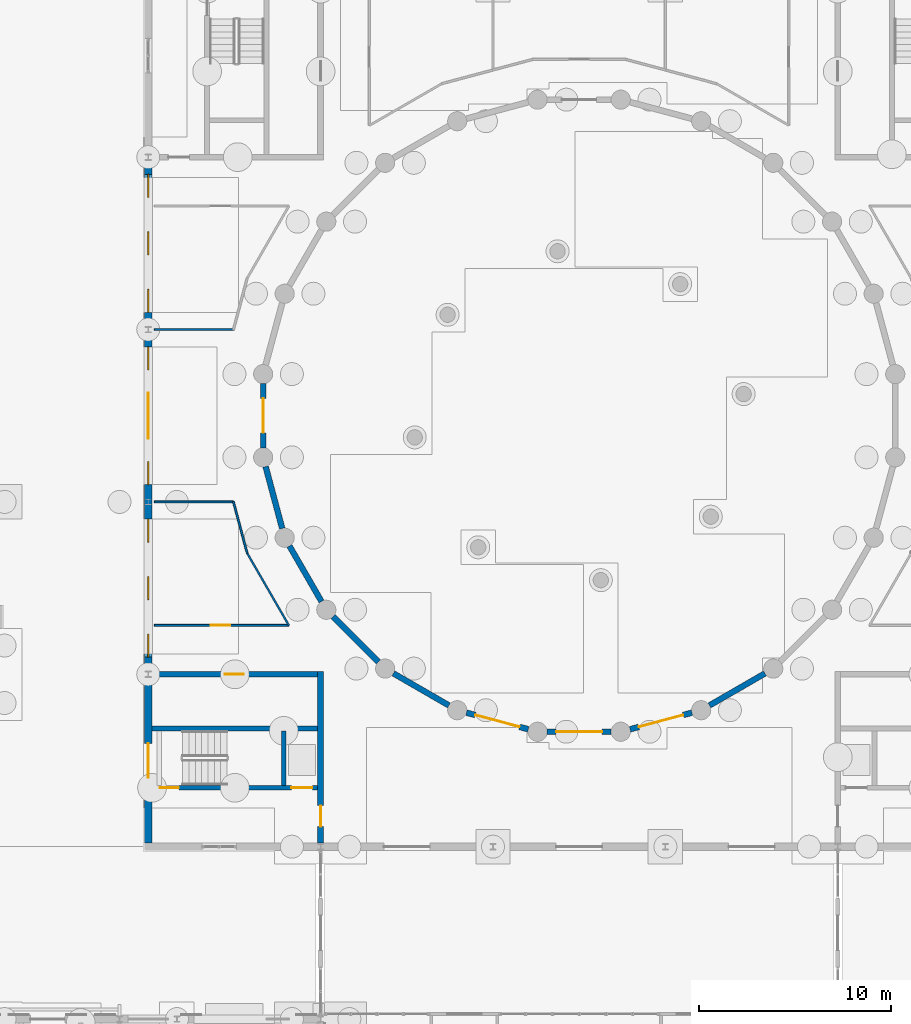
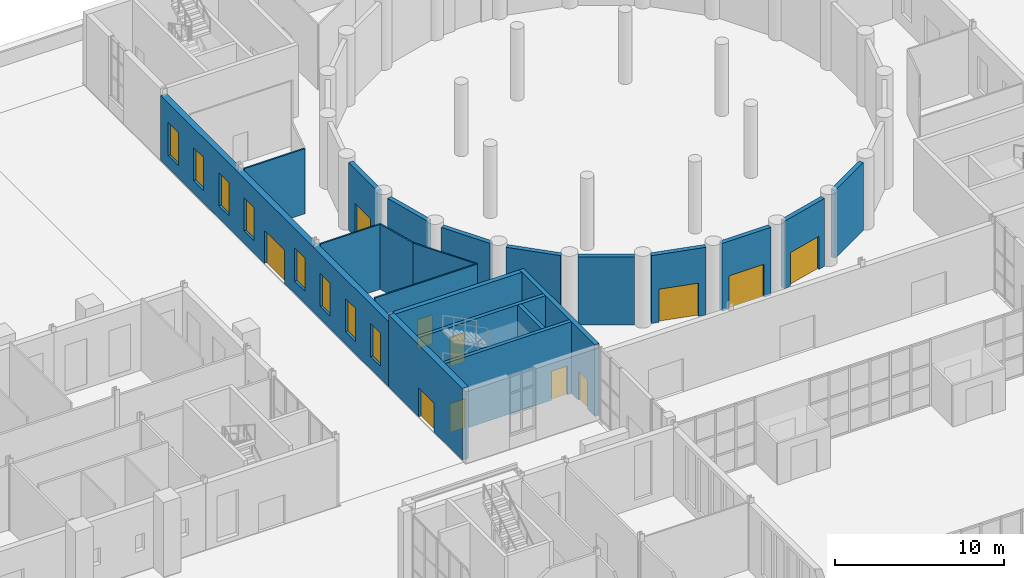
# One storey, part 98 of 168: 21 walls, 11 doors, 8 windows, 19 openings.
"""IFC4 building model written with IfcOpenShell, lengths in metres."""

from ifc_helpers import new_model, si_unit, direction, frame, frame_2d, origin, place, context, subcontext, project, spatial, rectangle, extrude, material, layer, layer_set, type_object, element, fill, save


model = new_model("IFC4")

# Units and contexts
model_context = context("Model", 3, precision=1e-05, world=origin(), true_north=direction((0.0, 1.0)))
body_context = subcontext(model_context, "Body", "Model", "MODEL_VIEW")
ifc_project = project(units=[si_unit("LENGTHUNIT", "METRE"), si_unit("AREAUNIT", "SQUARE_METRE"), si_unit("VOLUMEUNIT", "CUBIC_METRE"), si_unit("PLANEANGLEUNIT", "RADIAN"), si_unit("MASSUNIT", "GRAM", prefix="KILO")], contexts=[model_context])

# Site, building, storey
site_placement = place(None, origin())
site = spatial("IfcSite", under=ifc_project, at=site_placement, CompositionType="ELEMENT")
building_placement = place(site_placement, origin())
building = spatial("IfcBuilding", under=site, at=building_placement, Name="Golden Quay Civic Hall", CompositionType="ELEMENT")
storey_placement = place(building_placement, origin())
storey = spatial("IfcBuildingStorey", under=building, at=storey_placement, Name="L00", CompositionType="ELEMENT", Elevation=0.0)

# Wall
ifc_material_1 = material(Name="Gypsum board on steel stud", Category="steel")
ifc_layer_1 = layer(ifc_material_1, 0.10009765625)
ifc_layer_set_1 = layer_set([ifc_layer_1], Name="Partition 100 stud fire EI 60")
wall_type_1 = type_object("IfcWallType", Name="Partition 100 stud fire EI 60", PredefinedType="PARTITIONING", material=ifc_layer_set_1)
wall_1_placement = place(storey_placement, frame((67.44970703125, 81.0, 0.0), z_axis=(0.0, 0.0, 1.0), x_axis=(-1.0, 0.0, 0.0)))
element("IfcWall", 1, at=wall_1_placement, inside=storey, type_object=wall_type_1, Name="Partition 1", PredefinedType="PARTITIONING", context=body_context, shape_type="SweptSolid", body=[
    extrude(rectangle(XDim=4.129638671875, YDim=0.10009765625, at=frame_2d((2.06494140625, 0.0))), origin(), (0.0, 0.0, 1.0), 4.7099609375),
])

# Wall, opening, door
wall_2_placement = place(storey_placement, frame((63.320068359375, 74.550048828125, 0.0), z_axis=(0.0, 0.0, 1.0), x_axis=(1.0, 0.0, 0.0)))
wall_2 = element("IfcWall", 2, at=wall_2_placement, inside=storey, type_object=wall_type_1, Name="Partition 2", PredefinedType="PARTITIONING", context=body_context, shape_type="SweptSolid", body=[
    extrude(rectangle(XDim=7.0244140625, YDim=0.10009765625, at=frame_2d((3.51220703125, 0.0))), origin(), (0.0, 0.0, 1.0), 4.7099609375),
])
opening_1_placement = place(wall_2_placement, frame((2.952392578125, 0.0, 0.0)))
opening_1 = element("IfcOpeningElement", 3, at=opening_1_placement, cuts=wall_2, Name="Opening L00-D194", PredefinedType="OPENING", context=body_context, shape_type="SweptSolid", body=[
    extrude(rectangle(XDim=1.0, YDim=2.10009765625, at=frame_2d((0.5, 1.050048828125))), frame((0.0, 0.06005859375, 0.0), z_axis=(0.0, -1.0, 0.0), x_axis=(1.0, 0.0, 0.0)), (0.0, 0.0, 1.0), 0.1201171875),
])
ifc_material_2 = material(Name="Timber", Category="wood")
door_type_1 = type_object("IfcDoorType", Name="Timber fire door FD30S 1000 x 2100", OperationType="SINGLE_SWING_LEFT", PredefinedType="DOOR", material=ifc_material_2)
door_1_placement = place(opening_1_placement, origin())
door_1 = element("IfcDoor", 4, at=door_1_placement, inside=storey, type_object=door_type_1, Name="Door Members' Cloakroom", OperationType="SINGLE_SWING_LEFT", OverallHeight=2.10009765625, OverallWidth=1.0, PredefinedType="DOOR", context=body_context, shape_type="SweptSolid", body=[
    extrude(rectangle(XDim=1.0, YDim=2.10009765625, at=frame_2d((0.5, 1.050048828125))), frame((0.0, 0.02490234375, 0.0), z_axis=(0.0, -1.0, 0.0), x_axis=(1.0, 0.0, 0.0)), (0.0, 0.0, 1.0), 0.050048828125),
])
fill(opening_1, door_1)

# Walls
wall_3_placement = place(storey_placement, frame((70.344482421875, 74.550048828125, 0.0), z_axis=(0.0, 0.0, 1.0), x_axis=(-0.499992644437, 0.866029650479, 0.0)))
element("IfcWall", 5, at=wall_3_placement, inside=storey, type_object=wall_type_1, Name="Partition 3", PredefinedType="PARTITIONING", context=body_context, shape_type="SweptSolid", body=[
    extrude(rectangle(XDim=4.35400390625, YDim=0.10009765625, at=frame_2d((2.177001953125, 0.0))), origin(), (0.0, 0.0, 1.0), 4.7099609375),
])
wall_4_placement = place(storey_placement, frame((68.16748046875, 78.32080078125, 0.0), z_axis=(0.0, 0.0, 1.0), x_axis=(-0.258782667083, 0.965935573016, 0.0)))
element("IfcWall", 6, at=wall_4_placement, inside=storey, type_object=wall_type_1, Name="Partition 4", PredefinedType="PARTITIONING", context=body_context, shape_type="SweptSolid", body=[
    extrude(rectangle(XDim=2.79443359375, YDim=0.10009765625, at=frame_2d((1.397216796875, 0.0))), origin(), (0.0, 0.0, 1.0), 4.7099609375),
])
wall_5_placement = place(storey_placement, frame((67.44970703125, 90.0, 0.0), z_axis=(0.0, 0.0, 1.0), x_axis=(-1.0, 0.0, 0.0)))
element("IfcWall", 7, at=wall_5_placement, inside=storey, type_object=wall_type_1, Name="Partition 5", PredefinedType="PARTITIONING", context=body_context, shape_type="SweptSolid", body=[
    extrude(rectangle(XDim=4.129638671875, YDim=0.10009765625, at=frame_2d((2.06494140625, 0.0))), origin(), (0.0, 0.0, 1.0), 4.7099609375),
])

# Wall, opening, door
ifc_material_3 = material(Name="Concrete C40/50", Category="concrete")
ifc_layer_2 = layer(ifc_material_3, 0.300048828125)
ifc_layer_set_2 = layer_set([ifc_layer_2], Name="Reinforced concrete core wall 300, Concrete C40/50")
wall_type_2 = type_object("IfcWallType", Name="Reinforced concrete core wall 300", PredefinedType="SHEAR", material=ifc_layer_set_2)
wall_6_placement = place(storey_placement, frame((72.0, 63.199951171875, 0.0), z_axis=(0.0, 0.0, 1.0), x_axis=(0.0, 1.0, 0.0)))
wall_6 = element("IfcWall", 8, at=wall_6_placement, inside=storey, type_object=wall_type_2, Name="Core wall SW A", PredefinedType="SHEAR", context=body_context, shape_type="SweptSolid", body=[
    extrude(rectangle(XDim=8.949951171875, YDim=0.300048828125, at=frame_2d((4.47509765625, 0.0))), origin(), (0.0, 0.0, 1.0), 5.199951171875),
])
opening_2_placement = place(wall_6_placement, frame((0.85009765625, 0.0, 0.0)))
opening_2 = element("IfcOpeningElement", 9, at=opening_2_placement, cuts=wall_6, Name="Opening L00-D176", PredefinedType="OPENING", context=body_context, shape_type="SweptSolid", body=[
    extrude(rectangle(XDim=1.10009765625, YDim=2.10009765625, at=frame_2d((0.550048828125, 1.050048828125))), frame((0.0, 0.159912109375, 0.0), z_axis=(0.0, -1.0, 0.0), x_axis=(1.0, 0.0, 0.0)), (0.0, 0.0, 1.0), 0.320068359375),
])
ifc_material_4 = material(Name="Steel", Category="steel")
door_type_2 = type_object("IfcDoorType", Name="Steel fire door FD60 1100 x 2100", OperationType="SINGLE_SWING_LEFT", PredefinedType="DOOR", material=ifc_material_4)
door_2_placement = place(opening_2_placement, frame((1.10009765625, 0.0, 0.0), z_axis=(0.0, 0.0, 1.0), x_axis=(-1.0, 0.0, 0.0)))
door_2 = element("IfcDoor", 10, at=door_2_placement, inside=storey, type_object=door_type_2, Name="Core lobby door SW", OperationType="SINGLE_SWING_RIGHT", OverallHeight=2.10009765625, OverallWidth=1.10009765625, PredefinedType="DOOR", context=body_context, shape_type="SweptSolid", body=[
    extrude(rectangle(XDim=1.10009765625, YDim=2.10009765625, at=frame_2d((0.550048828125, 1.050048828125))), frame((0.0, 0.025146484375, 0.0), z_axis=(0.0, -1.0, 0.0), x_axis=(1.0, 0.0, 0.0)), (0.0, 0.0, 1.0), 0.050048828125),
])
fill(opening_2, door_2)

wall_7_placement = place(storey_placement, frame((63.199951171875, 72.0, 0.0), z_axis=(0.0, 0.0, 1.0), x_axis=(1.0, 0.0, 0.0)))
wall_7 = element("IfcWall", 11, at=wall_7_placement, inside=storey, type_object=wall_type_2, Name="Core wall SW B", PredefinedType="SHEAR", context=body_context, shape_type="SweptSolid", body=[
    extrude(rectangle(XDim=8.650146484375, YDim=0.300048828125, at=frame_2d((4.3251953125, 0.0))), origin(), (0.0, 0.0, 1.0), 5.199951171875),
])
opening_3_placement = place(wall_7_placement, frame((3.800048828125, 0.0, 0.0)))
opening_3 = element("IfcOpeningElement", 12, at=opening_3_placement, cuts=wall_7, Name="Opening L00-D177", PredefinedType="OPENING", context=body_context, shape_type="SweptSolid", body=[
    extrude(rectangle(XDim=1.0, YDim=2.10009765625, at=frame_2d((0.5, 1.050048828125))), frame((0.0, 0.159912109375, 0.0), z_axis=(0.0, -1.0, 0.0), x_axis=(1.0, 0.0, 0.0)), (0.0, 0.0, 1.0), 0.320068359375),
])
ifc_material_5 = material(Name="Steel", Category="steel")
door_type_3 = type_object("IfcDoorType", Name="Steel fire door FD60 1000 x 2100", OperationType="SINGLE_SWING_LEFT", PredefinedType="DOOR", material=ifc_material_5)
door_3_placement = place(opening_3_placement, frame((1.0, 0.0, 0.0), z_axis=(0.0, 0.0, 1.0), x_axis=(-1.0, 0.0, 0.0)))
door_3 = element("IfcDoor", 13, at=door_3_placement, inside=storey, type_object=door_type_3, Name="Service door SW", OperationType="SINGLE_SWING_RIGHT", OverallHeight=2.10009765625, OverallWidth=1.0, PredefinedType="DOOR", context=body_context, shape_type="SweptSolid", body=[
    extrude(rectangle(XDim=1.0, YDim=2.10009765625, at=frame_2d((0.5, 1.050048828125))), frame((0.0, 0.025146484375, 0.0), z_axis=(0.0, -1.0, 0.0), x_axis=(1.0, 0.0, 0.0)), (0.0, 0.0, 1.0), 0.050048828125),
])
fill(opening_3, door_3)

# Wall, openings, doors
ifc_material_6 = material(Name="Concrete C40/50", Category="concrete")
ifc_layer_3 = layer(ifc_material_6, 0.25)
ifc_layer_set_3 = layer_set([ifc_layer_3], Name="Reinforced concrete shaft wall 250, Concrete C40/50")
wall_type_3 = type_object("IfcWallType", Name="Reinforced concrete shaft wall 250", PredefinedType="SHEAR", material=ifc_layer_set_3)
wall_8_placement = place(storey_placement, frame((63.199951171875, 66.074951171875, 0.0), z_axis=(0.0, 0.0, 1.0), x_axis=(1.0, 0.0, 0.0)))
wall_8 = element("IfcWall", 14, at=wall_8_placement, inside=storey, type_object=wall_type_3, Name="Shaft wall SW 1", PredefinedType="SHEAR", context=body_context, shape_type="SweptSolid", body=[
    extrude(rectangle(XDim=8.650146484375, YDim=0.25, at=frame_2d((4.3251953125, 0.0))), origin(), (0.0, 0.0, 1.0), 5.199951171875),
])
opening_4_placement = place(wall_8_placement, frame((0.39990234375, 0.0, 0.0)))
opening_4 = element("IfcOpeningElement", 15, at=opening_4_placement, cuts=wall_8, Name="Opening L00-D175", PredefinedType="OPENING", context=body_context, shape_type="SweptSolid", body=[
    extrude(rectangle(XDim=1.0, YDim=2.10009765625, at=frame_2d((0.5, 1.050048828125))), frame((0.0, 0.135009765625, 0.0), z_axis=(0.0, -1.0, 0.0), x_axis=(1.0, 0.0, 0.0)), (0.0, 0.0, 1.0), 0.27001953125),
])
opening_5_placement = place(wall_8_placement, frame((7.27490234375, 0.0, 0.0)))
opening_5 = element("IfcOpeningElement", 16, at=opening_5_placement, cuts=wall_8, Name="Opening L00-D178", PredefinedType="OPENING", context=body_context, shape_type="SweptSolid", body=[
    extrude(rectangle(XDim=1.10009765625, YDim=2.10009765625, at=frame_2d((0.550048828125, 1.050048828125))), frame((0.0, 0.135009765625, 0.0), z_axis=(0.0, -1.0, 0.0), x_axis=(1.0, 0.0, 0.0)), (0.0, 0.0, 1.0), 0.27001953125),
])
ifc_material_7 = material(Name="Steel", Category="steel")
door_type_4 = type_object("IfcDoorType", Name="Lift landing door 1100 x 2100", OperationType="SLIDING_TO_LEFT", PredefinedType="DOOR", material=ifc_material_7)
door_4_placement = place(opening_5_placement, frame((1.10009765625, 0.0, 0.0), z_axis=(0.0, 0.0, 1.0), x_axis=(-1.0, 0.0, 0.0)))
door_4 = element("IfcDoor", 17, at=door_4_placement, inside=storey, type_object=door_type_4, Name="Lift SW landing door", OperationType="SLIDING_TO_LEFT", OverallHeight=2.10009765625, OverallWidth=1.10009765625, PredefinedType="DOOR", context=body_context, shape_type="SweptSolid", body=[
    extrude(rectangle(XDim=1.10009765625, YDim=2.10009765625, at=frame_2d((0.550048828125, 1.050048828125))), frame((0.0, 0.025146484375, 0.0), z_axis=(0.0, -1.0, 0.0), x_axis=(1.0, 0.0, 0.0)), (0.0, 0.0, 1.0), 0.050048828125),
])
fill(opening_5, door_4)
door_5_placement = place(opening_4_placement, origin())
door_5 = element("IfcDoor", 18, at=door_5_placement, inside=storey, type_object=door_type_2, Name="Stair door SW", OperationType="SINGLE_SWING_LEFT", OverallHeight=2.10009765625, OverallWidth=1.0, PredefinedType="DOOR", context=body_context, shape_type="SweptSolid", body=[
    extrude(rectangle(XDim=1.0, YDim=2.10009765625, at=frame_2d((0.5, 1.050048828125))), frame((0.0, 0.02490234375, 0.0), z_axis=(0.0, -1.0, 0.0), x_axis=(1.0, 0.0, 0.0)), (0.0, 0.0, 1.0), 0.050048828125),
])
fill(opening_4, door_5)

# Walls
wall_9_placement = place(storey_placement, frame((63.199951171875, 69.175048828125, 0.0), z_axis=(0.0, 0.0, 1.0), x_axis=(1.0, 0.0, 0.0)))
element("IfcWall", 19, at=wall_9_placement, inside=storey, type_object=wall_type_3, Name="Shaft wall SW 2", PredefinedType="SHEAR", context=body_context, shape_type="SweptSolid", body=[
    extrude(rectangle(XDim=8.650146484375, YDim=0.25, at=frame_2d((4.3251953125, 0.0))), origin(), (0.0, 0.0, 1.0), 5.199951171875),
])
wall_10_placement = place(storey_placement, frame((70.074951171875, 66.199951171875, 0.0), z_axis=(0.0, 0.0, 1.0), x_axis=(0.0, 1.0, 0.0)))
element("IfcWall", 20, at=wall_10_placement, inside=storey, type_object=wall_type_3, Name="Shaft wall SW 3", PredefinedType="SHEAR", context=body_context, shape_type="SweptSolid", body=[
    extrude(rectangle(XDim=2.85009765625, YDim=0.25, at=frame_2d((1.425048828125, 0.0))), origin(), (0.0, 0.0, 1.0), 5.199951171875),
])

# Wall, openings, door, windows
ifc_material_8 = material(Name="Brick masonry with render", Category="masonry")
ifc_layer_4 = layer(ifc_material_8, 0.39990234375)
ifc_layer_set_4 = layer_set([ifc_layer_4], Name="Rendered brick external wall 400")
wall_type_4 = type_object("IfcWallType", Name="Rendered brick external wall 400", PredefinedType="STANDARD", material=ifc_layer_set_4)
wall_11_placement = place(storey_placement, frame((63.0, 72.0, 0.0), z_axis=(0.0, 0.0, 1.0), x_axis=(0.0, 1.0, 0.0)))
wall_11 = element("IfcWall", 21, at=wall_11_placement, inside=storey, type_object=wall_type_4, Name="Base wall W 72", PredefinedType="STANDARD", context=body_context, shape_type="SweptSolid", body=[
    extrude(rectangle(XDim=27.0, YDim=0.39990234375, at=frame_2d((13.5, 0.0))), origin(), (0.0, 0.0, 1.0), 4.7099609375),
])
opening_6_placement = place(wall_11_placement, frame((12.300048828125, 0.0, 0.0)))
opening_6 = element("IfcOpeningElement", 22, at=opening_6_placement, cuts=wall_11, Name="Opening L00-D038", PredefinedType="OPENING", context=body_context, shape_type="SweptSolid", body=[
    extrude(rectangle(XDim=2.39990234375, YDim=2.39990234375, at=frame_2d((1.199951171875, 1.199951171875))), frame((0.0, 0.2099609375, 0.0), z_axis=(0.0, -1.0, 0.0), x_axis=(1.0, 0.0, 0.0)), (0.0, 0.0, 1.0), 0.419921875),
])
opening_7_placement = place(wall_11_placement, frame((0.89990234375, 0.0, 0.89990234375)))
opening_7 = element("IfcOpeningElement", 23, at=opening_7_placement, cuts=wall_11, Name="Opening WN7", PredefinedType="OPENING", context=body_context, shape_type="SweptSolid", body=[
    extrude(rectangle(XDim=1.199951171875, YDim=2.39990234375, at=frame_2d((0.60009765625, 1.199951171875))), frame((0.0, 0.2099609375, 0.0), z_axis=(0.0, -1.0, 0.0), x_axis=(1.0, 0.0, 0.0)), (0.0, 0.0, 1.0), 0.419921875),
])
opening_8_placement = place(wall_11_placement, frame((3.89990234375, 0.0, 0.89990234375)))
opening_8 = element("IfcOpeningElement", 24, at=opening_8_placement, cuts=wall_11, Name="Opening WN7", PredefinedType="OPENING", context=body_context, shape_type="SweptSolid", body=[
    extrude(rectangle(XDim=1.199951171875, YDim=2.39990234375, at=frame_2d((0.60009765625, 1.199951171875))), frame((0.0, 0.2099609375, 0.0), z_axis=(0.0, -1.0, 0.0), x_axis=(1.0, 0.0, 0.0)), (0.0, 0.0, 1.0), 0.419921875),
])
opening_9_placement = place(wall_11_placement, frame((6.89990234375, 0.0, 0.89990234375)))
opening_9 = element("IfcOpeningElement", 25, at=opening_9_placement, cuts=wall_11, Name="Opening WN7", PredefinedType="OPENING", context=body_context, shape_type="SweptSolid", body=[
    extrude(rectangle(XDim=1.199951171875, YDim=2.39990234375, at=frame_2d((0.60009765625, 1.199951171875))), frame((0.0, 0.2099609375, 0.0), z_axis=(0.0, -1.0, 0.0), x_axis=(1.0, 0.0, 0.0)), (0.0, 0.0, 1.0), 0.419921875),
])
opening_10_placement = place(wall_11_placement, frame((9.89990234375, 0.0, 0.89990234375)))
opening_10 = element("IfcOpeningElement", 26, at=opening_10_placement, cuts=wall_11, Name="Opening WN7", PredefinedType="OPENING", context=body_context, shape_type="SweptSolid", body=[
    extrude(rectangle(XDim=1.199951171875, YDim=2.39990234375, at=frame_2d((0.60009765625, 1.199951171875))), frame((0.0, 0.2099609375, 0.0), z_axis=(0.0, -1.0, 0.0), x_axis=(1.0, 0.0, 0.0)), (0.0, 0.0, 1.0), 0.419921875),
])
opening_11_placement = place(wall_11_placement, frame((15.89990234375, 0.0, 0.89990234375)))
opening_11 = element("IfcOpeningElement", 27, at=opening_11_placement, cuts=wall_11, Name="Opening WN7", PredefinedType="OPENING", context=body_context, shape_type="SweptSolid", body=[
    extrude(rectangle(XDim=1.199951171875, YDim=2.39990234375, at=frame_2d((0.60009765625, 1.199951171875))), frame((0.0, 0.2099609375, 0.0), z_axis=(0.0, -1.0, 0.0), x_axis=(1.0, 0.0, 0.0)), (0.0, 0.0, 1.0), 0.419921875),
])
opening_12_placement = place(wall_11_placement, frame((18.89990234375, 0.0, 0.89990234375)))
opening_12 = element("IfcOpeningElement", 28, at=opening_12_placement, cuts=wall_11, Name="Opening WN7", PredefinedType="OPENING", context=body_context, shape_type="SweptSolid", body=[
    extrude(rectangle(XDim=1.199951171875, YDim=2.39990234375, at=frame_2d((0.60009765625, 1.199951171875))), frame((0.0, 0.2099609375, 0.0), z_axis=(0.0, -1.0, 0.0), x_axis=(1.0, 0.0, 0.0)), (0.0, 0.0, 1.0), 0.419921875),
])
opening_13_placement = place(wall_11_placement, frame((21.89990234375, 0.0, 0.89990234375)))
opening_13 = element("IfcOpeningElement", 29, at=opening_13_placement, cuts=wall_11, Name="Opening WN7", PredefinedType="OPENING", context=body_context, shape_type="SweptSolid", body=[
    extrude(rectangle(XDim=1.199951171875, YDim=2.39990234375, at=frame_2d((0.60009765625, 1.199951171875))), frame((0.0, 0.2099609375, 0.0), z_axis=(0.0, -1.0, 0.0), x_axis=(1.0, 0.0, 0.0)), (0.0, 0.0, 1.0), 0.419921875),
])
opening_14_placement = place(wall_11_placement, frame((24.89990234375, 0.0, 0.89990234375)))
opening_14 = element("IfcOpeningElement", 30, at=opening_14_placement, cuts=wall_11, Name="Opening WN7", PredefinedType="OPENING", context=body_context, shape_type="SweptSolid", body=[
    extrude(rectangle(XDim=1.199951171875, YDim=2.39990234375, at=frame_2d((0.60009765625, 1.199951171875))), frame((0.0, 0.2099609375, 0.0), z_axis=(0.0, -1.0, 0.0), x_axis=(1.0, 0.0, 0.0)), (0.0, 0.0, 1.0), 0.419921875),
])
ifc_material_9 = material(Name="Timber", Category="wood")
door_type_5 = type_object("IfcDoorType", Name="Timber entrance door 2400 x 2400", OperationType="DOUBLE_DOOR_SINGLE_SWING", PredefinedType="DOOR", material=ifc_material_9)
door_6_placement = place(opening_6_placement, origin())
door_6 = element("IfcDoor", 31, at=door_6_placement, inside=storey, type_object=door_type_5, Name="Members' entrance door", OperationType="DOUBLE_DOOR_SINGLE_SWING", OverallHeight=2.39990234375, OverallWidth=2.39990234375, PredefinedType="DOOR", context=body_context, shape_type="SweptSolid", body=[
    extrude(rectangle(XDim=2.39990234375, YDim=2.39990234375, at=frame_2d((1.199951171875, 1.199951171875))), frame((0.0, 0.02490234375, 0.0), z_axis=(0.0, -1.0, 0.0), x_axis=(1.0, 0.0, 0.0)), (0.0, 0.0, 1.0), 0.050048828125),
])
fill(opening_6, door_6)
ifc_material_10 = material(Name="Aluminium frame, double glazed", Category="aluminium")
window_type = type_object("IfcWindowType", Name="Window 1200 x 2400", PartitioningType="SINGLE_PANEL", PredefinedType="WINDOW", material=ifc_material_10)
window_1_placement = place(opening_7_placement, origin())
window_1 = element("IfcWindow", 32, at=window_1_placement, inside=storey, type_object=window_type, Name="Window W1", OverallHeight=2.39990234375, OverallWidth=1.199951171875, PartitioningType="SINGLE_PANEL", PredefinedType="WINDOW", context=body_context, shape_type="SweptSolid", body=[
    extrude(rectangle(XDim=1.199951171875, YDim=2.39990234375, at=frame_2d((0.60009765625, 1.199951171875))), frame((0.0, 0.030029296875, 0.0), z_axis=(0.0, -1.0, 0.0), x_axis=(1.0, 0.0, 0.0)), (0.0, 0.0, 1.0), 0.06005859375),
])
fill(opening_7, window_1)
window_2_placement = place(opening_8_placement, origin())
window_2 = element("IfcWindow", 33, at=window_2_placement, inside=storey, type_object=window_type, Name="Window W2", OverallHeight=2.39990234375, OverallWidth=1.199951171875, PartitioningType="SINGLE_PANEL", PredefinedType="WINDOW", context=body_context, shape_type="SweptSolid", body=[
    extrude(rectangle(XDim=1.199951171875, YDim=2.39990234375, at=frame_2d((0.60009765625, 1.199951171875))), frame((0.0, 0.030029296875, 0.0), z_axis=(0.0, -1.0, 0.0), x_axis=(1.0, 0.0, 0.0)), (0.0, 0.0, 1.0), 0.06005859375),
])
fill(opening_8, window_2)
window_3_placement = place(opening_9_placement, origin())
window_3 = element("IfcWindow", 34, at=window_3_placement, inside=storey, type_object=window_type, Name="Window W3", OverallHeight=2.39990234375, OverallWidth=1.199951171875, PartitioningType="SINGLE_PANEL", PredefinedType="WINDOW", context=body_context, shape_type="SweptSolid", body=[
    extrude(rectangle(XDim=1.199951171875, YDim=2.39990234375, at=frame_2d((0.60009765625, 1.199951171875))), frame((0.0, 0.030029296875, 0.0), z_axis=(0.0, -1.0, 0.0), x_axis=(1.0, 0.0, 0.0)), (0.0, 0.0, 1.0), 0.06005859375),
])
fill(opening_9, window_3)
window_4_placement = place(opening_10_placement, origin())
window_4 = element("IfcWindow", 35, at=window_4_placement, inside=storey, type_object=window_type, Name="Window W4", OverallHeight=2.39990234375, OverallWidth=1.199951171875, PartitioningType="SINGLE_PANEL", PredefinedType="WINDOW", context=body_context, shape_type="SweptSolid", body=[
    extrude(rectangle(XDim=1.199951171875, YDim=2.39990234375, at=frame_2d((0.60009765625, 1.199951171875))), frame((0.0, 0.030029296875, 0.0), z_axis=(0.0, -1.0, 0.0), x_axis=(1.0, 0.0, 0.0)), (0.0, 0.0, 1.0), 0.06005859375),
])
fill(opening_10, window_4)
window_5_placement = place(opening_11_placement, origin())
window_5 = element("IfcWindow", 36, at=window_5_placement, inside=storey, type_object=window_type, Name="Window W6", OverallHeight=2.39990234375, OverallWidth=1.199951171875, PartitioningType="SINGLE_PANEL", PredefinedType="WINDOW", context=body_context, shape_type="SweptSolid", body=[
    extrude(rectangle(XDim=1.199951171875, YDim=2.39990234375, at=frame_2d((0.60009765625, 1.199951171875))), frame((0.0, 0.030029296875, 0.0), z_axis=(0.0, -1.0, 0.0), x_axis=(1.0, 0.0, 0.0)), (0.0, 0.0, 1.0), 0.06005859375),
])
fill(opening_11, window_5)
window_6_placement = place(opening_12_placement, origin())
window_6 = element("IfcWindow", 37, at=window_6_placement, inside=storey, type_object=window_type, Name="Window W7", OverallHeight=2.39990234375, OverallWidth=1.199951171875, PartitioningType="SINGLE_PANEL", PredefinedType="WINDOW", context=body_context, shape_type="SweptSolid", body=[
    extrude(rectangle(XDim=1.199951171875, YDim=2.39990234375, at=frame_2d((0.60009765625, 1.199951171875))), frame((0.0, 0.030029296875, 0.0), z_axis=(0.0, -1.0, 0.0), x_axis=(1.0, 0.0, 0.0)), (0.0, 0.0, 1.0), 0.06005859375),
])
fill(opening_12, window_6)
window_7_placement = place(opening_13_placement, origin())
window_7 = element("IfcWindow", 38, at=window_7_placement, inside=storey, type_object=window_type, Name="Window W8", OverallHeight=2.39990234375, OverallWidth=1.199951171875, PartitioningType="SINGLE_PANEL", PredefinedType="WINDOW", context=body_context, shape_type="SweptSolid", body=[
    extrude(rectangle(XDim=1.199951171875, YDim=2.39990234375, at=frame_2d((0.60009765625, 1.199951171875))), frame((0.0, 0.030029296875, 0.0), z_axis=(0.0, -1.0, 0.0), x_axis=(1.0, 0.0, 0.0)), (0.0, 0.0, 1.0), 0.06005859375),
])
fill(opening_13, window_7)
window_8_placement = place(opening_14_placement, origin())
window_8 = element("IfcWindow", 39, at=window_8_placement, inside=storey, type_object=window_type, Name="Window W9", OverallHeight=2.39990234375, OverallWidth=1.199951171875, PartitioningType="SINGLE_PANEL", PredefinedType="WINDOW", context=body_context, shape_type="SweptSolid", body=[
    extrude(rectangle(XDim=1.199951171875, YDim=2.39990234375, at=frame_2d((0.60009765625, 1.199951171875))), frame((0.0, 0.030029296875, 0.0), z_axis=(0.0, -1.0, 0.0), x_axis=(1.0, 0.0, 0.0)), (0.0, 0.0, 1.0), 0.06005859375),
])
fill(opening_14, window_8)

# Wall, opening, door
ifc_material_11 = material(Name="Brick masonry with render", Category="masonry")
ifc_layer_5 = layer(ifc_material_11, 0.39990234375)
ifc_layer_set_5 = layer_set([ifc_layer_5], Name="Rendered brick external wall 400 fire EI 120")
wall_type_5 = type_object("IfcWallType", Name="Rendered brick external wall 400 fire EI 120", PredefinedType="STANDARD", material=ifc_layer_set_5)
wall_12_placement = place(storey_placement, frame((63.0, 63.199951171875, 0.0), z_axis=(0.0, 0.0, 1.0), x_axis=(0.0, 1.0, 0.0)))
wall_12 = element("IfcWall", 40, at=wall_12_placement, inside=storey, type_object=wall_type_5, Name="Base wall W 63", PredefinedType="STANDARD", context=body_context, shape_type="SweptSolid", body=[
    extrude(rectangle(XDim=8.800048828125, YDim=0.39990234375, at=frame_2d((4.39990234375, 0.0))), origin(), (0.0, 0.0, 1.0), 5.199951171875),
])
opening_15_placement = place(wall_12_placement, frame((3.39990234375, 0.0, 0.0)))
opening_15 = element("IfcOpeningElement", 41, at=opening_15_placement, cuts=wall_12, Name="Opening L00-D034", PredefinedType="OPENING", context=body_context, shape_type="SweptSolid", body=[
    extrude(rectangle(XDim=1.800048828125, YDim=2.10009765625, at=frame_2d((0.89990234375, 1.050048828125))), frame((0.0, 0.2099609375, 0.0), z_axis=(0.0, -1.0, 0.0), x_axis=(1.0, 0.0, 0.0)), (0.0, 0.0, 1.0), 0.419921875),
])
ifc_material_12 = material(Name="Steel", Category="steel")
door_type_6 = type_object("IfcDoorType", Name="Steel double exit door FD60 1800 x 2100", OperationType="DOUBLE_DOOR_SINGLE_SWING", PredefinedType="DOOR", material=ifc_material_12)
door_7_placement = place(opening_15_placement, origin())
door_7 = element("IfcDoor", 42, at=door_7_placement, inside=storey, type_object=door_type_6, Name="Stair exit door", OperationType="DOUBLE_DOOR_SINGLE_SWING", OverallHeight=2.10009765625, OverallWidth=1.800048828125, PredefinedType="DOOR", context=body_context, shape_type="SweptSolid", body=[
    extrude(rectangle(XDim=1.800048828125, YDim=2.10009765625, at=frame_2d((0.89990234375, 1.050048828125))), frame((0.0, 0.02490234375, 0.0), z_axis=(0.0, -1.0, 0.0), x_axis=(1.0, 0.0, 0.0)), (0.0, 0.0, 1.0), 0.050048828125),
])
fill(opening_15, door_7)

ifc_material_13 = material(Name="Concrete C30/37", Category="concrete")
ifc_layer_6 = layer(ifc_material_13, 0.300048828125)
ifc_layer_set_6 = layer_set([ifc_layer_6], Name="Rotunda enclosure wall 300")
wall_type_6 = type_object("IfcWallType", Name="Rotunda enclosure wall 300", PredefinedType="PARTITIONING", material=ifc_layer_set_6)
wall_13_placement = place(storey_placement, frame((69.0, 87.17236328125, 0.0), z_axis=(0.0, 0.0, 1.0), x_axis=(0.0, -1.0, 0.0)))
wall_13 = element("IfcWall", 43, at=wall_13_placement, inside=storey, type_object=wall_type_6, Name="Rotunda wall 12", PredefinedType="PARTITIONING", context=body_context, shape_type="SweptSolid", body=[
    extrude(rectangle(XDim=3.3447265625, YDim=0.300048828125, at=frame_2d((1.67236328125, 0.0))), origin(), (0.0, 0.0, 1.0), 4.909912109375),
])
opening_16_placement = place(wall_13_placement, frame((0.772216796875, 0.0, 0.0)))
opening_16 = element("IfcOpeningElement", 44, at=opening_16_placement, cuts=wall_13, Name="Opening L00-D193", PredefinedType="OPENING", context=body_context, shape_type="SweptSolid", body=[
    extrude(rectangle(XDim=1.800048828125, YDim=2.39990234375, at=frame_2d((0.89990234375, 1.199951171875))), frame((0.0, 0.159912109375, 0.0), z_axis=(0.0, -1.0, 0.0), x_axis=(1.0, 0.0, 0.0)), (0.0, 0.0, 1.0), 0.320068359375),
])
ifc_material_14 = material(Name="Timber", Category="wood")
door_type_7 = type_object("IfcDoorType", Name="Timber double fire door FD30S 1800 x 2400", OperationType="DOUBLE_DOOR_SINGLE_SWING", PredefinedType="DOOR", material=ifc_material_14)
door_8_placement = place(opening_16_placement, frame((1.800048828125, 0.0, 0.0), z_axis=(0.0, 0.0, 1.0), x_axis=(-1.0, 0.0, 0.0)))
door_8 = element("IfcDoor", 45, at=door_8_placement, inside=storey, type_object=door_type_7, Name="Rotunda door", OperationType="DOUBLE_DOOR_SINGLE_SWING", OverallHeight=2.39990234375, OverallWidth=1.800048828125, PredefinedType="DOOR", context=body_context, shape_type="SweptSolid", body=[
    extrude(rectangle(XDim=1.800048828125, YDim=2.39990234375, at=frame_2d((0.900146484375, 1.199951171875))), frame((0.0, 0.025146484375, 0.0), z_axis=(0.0, -1.0, 0.0), x_axis=(1.0, 0.0, 0.0)), (0.0, 0.0, 1.0), 0.050048828125),
])
fill(opening_16, door_8)

# Walls
for number, where, z_axis, x_axis, name in (
    (46, (69.12939453125, 82.8447265625, 0.0), (0.0, 0.0, 1.0), (0.258852846257, -0.965916768663, 0.0), "Rotunda wall 13"),
    (47, (70.37451171875, 78.6982421875, 0.0), (0.0, 0.0, 1.0), (0.49996257386, -0.866047010698, 0.0), "Rotunda wall 14"),
):
    element("IfcWall", number, at=place(storey_placement, frame(where, z_axis=z_axis, x_axis=x_axis)), inside=storey, type_object=wall_type_6, Name=name, PredefinedType="PARTITIONING", context=body_context, shape_type="SweptSolid", body=[
        extrude(rectangle(XDim=3.344482421875, YDim=0.300048828125, at=frame_2d((1.67236328125, 0.0))), origin(), (0.0, 0.0, 1.0), 4.909912109375),
    ])
wall_14_placement = place(storey_placement, frame((72.650390625, 75.01513671875, 0.0), z_axis=(0.0, 0.0, 1.0), x_axis=(0.707106781187, -0.707106781187, 0.0)))
element("IfcWall", 48, at=wall_14_placement, inside=storey, type_object=wall_type_6, Name="Rotunda wall 15", PredefinedType="PARTITIONING", context=body_context, shape_type="SweptSolid", body=[
    extrude(rectangle(XDim=3.34423828125, YDim=0.300048828125, at=frame_2d((1.672119140625, 0.0))), origin(), (0.0, 0.0, 1.0), 4.909912109375),
])
wall_15_placement = place(storey_placement, frame((75.8017578125, 72.046630859375, 0.0), z_axis=(0.0, 0.0, 1.0), x_axis=(0.866047010698, -0.49996257386, 0.0)))
element("IfcWall", 49, at=wall_15_placement, inside=storey, type_object=wall_type_6, Name="Rotunda wall 16", PredefinedType="PARTITIONING", context=body_context, shape_type="SweptSolid", body=[
    extrude(rectangle(XDim=3.344482421875, YDim=0.300048828125, at=frame_2d((1.67236328125, 0.0))), origin(), (0.0, 0.0, 1.0), 4.909912109375),
])

# Wall, opening, door
wall_16_placement = place(storey_placement, frame((79.6142578125, 69.9951171875, 0.0), z_axis=(0.0, 0.0, 1.0), x_axis=(0.965916768663, -0.258852846257, 0.0)))
wall_16 = element("IfcWall", 50, at=wall_16_placement, inside=storey, type_object=wall_type_6, Name="Rotunda wall 17", PredefinedType="PARTITIONING", context=body_context, shape_type="SweptSolid", body=[
    extrude(rectangle(XDim=3.344482421875, YDim=0.300048828125, at=frame_2d((1.67236328125, 0.0))), origin(), (0.0, 0.0, 1.0), 4.909912109375),
])
opening_17_placement = place(wall_16_placement, frame((0.472412109375, 0.0, 0.0)))
opening_17 = element("IfcOpeningElement", 51, at=opening_17_placement, cuts=wall_16, Name="Opening L00-D189", PredefinedType="OPENING", context=body_context, shape_type="SweptSolid", body=[
    extrude(rectangle(XDim=2.39990234375, YDim=2.39990234375, at=frame_2d((1.199951171875, 1.199951171875))), frame((0.0, 0.159912109375, 0.0), z_axis=(0.0, -1.0, 0.0), x_axis=(1.0, 0.0, 0.0)), (0.0, 0.0, 1.0), 0.320068359375),
])
ifc_material_15 = material(Name="Timber", Category="wood")
door_type_8 = type_object("IfcDoorType", Name="Timber double fire door FD30S 2400 x 2400", OperationType="DOUBLE_DOOR_SINGLE_SWING", PredefinedType="DOOR", material=ifc_material_15)
door_9_placement = place(opening_17_placement, frame((2.39990234375, 0.0, 0.0), z_axis=(0.0, 0.0, 1.0), x_axis=(-1.0, 0.0, 0.0)))
door_9 = element("IfcDoor", 52, at=door_9_placement, inside=storey, type_object=door_type_8, Name="Rotunda door", OperationType="DOUBLE_DOOR_SINGLE_SWING", OverallHeight=2.39990234375, OverallWidth=2.39990234375, PredefinedType="DOOR", context=body_context, shape_type="SweptSolid", body=[
    extrude(rectangle(XDim=2.39990234375, YDim=2.39990234375, at=frame_2d((1.199951171875, 1.199951171875))), frame((0.0, 0.025146484375, 0.0), z_axis=(0.0, -1.0, 0.0), x_axis=(1.0, 0.0, 0.0)), (0.0, 0.0, 1.0), 0.050048828125),
])
fill(opening_17, door_9)

wall_17_placement = place(storey_placement, frame((83.82763671875, 69.0, 0.0), z_axis=(0.0, 0.0, 1.0), x_axis=(1.0, 0.0, 0.0)))
wall_17 = element("IfcWall", 53, at=wall_17_placement, inside=storey, type_object=wall_type_6, Name="Rotunda wall 18", PredefinedType="PARTITIONING", context=body_context, shape_type="SweptSolid", body=[
    extrude(rectangle(XDim=3.3447265625, YDim=0.300048828125, at=frame_2d((1.67236328125, 0.0))), origin(), (0.0, 0.0, 1.0), 4.909912109375),
])
opening_18_placement = place(wall_17_placement, frame((0.472412109375, 0.0, 0.0)))
opening_18 = element("IfcOpeningElement", 54, at=opening_18_placement, cuts=wall_17, Name="Opening L00-D190", PredefinedType="OPENING", context=body_context, shape_type="SweptSolid", body=[
    extrude(rectangle(XDim=2.39990234375, YDim=2.39990234375, at=frame_2d((1.199951171875, 1.199951171875))), frame((0.0, 0.159912109375, 0.0), z_axis=(0.0, -1.0, 0.0), x_axis=(1.0, 0.0, 0.0)), (0.0, 0.0, 1.0), 0.320068359375),
])
door_10_placement = place(opening_18_placement, frame((2.39990234375, 0.0, 0.0), z_axis=(0.0, 0.0, 1.0), x_axis=(-1.0, 0.0, 0.0)))
door_10 = element("IfcDoor", 55, at=door_10_placement, inside=storey, type_object=door_type_8, Name="Rotunda door", OperationType="DOUBLE_DOOR_SINGLE_SWING", OverallHeight=2.39990234375, OverallWidth=2.39990234375, PredefinedType="DOOR", context=body_context, shape_type="SweptSolid", body=[
    extrude(rectangle(XDim=2.39990234375, YDim=2.39990234375, at=frame_2d((1.199951171875, 1.199951171875))), frame((0.0, 0.025146484375, 0.0), z_axis=(0.0, -1.0, 0.0), x_axis=(1.0, 0.0, 0.0)), (0.0, 0.0, 1.0), 0.050048828125),
])
fill(opening_18, door_10)

wall_18_placement = place(storey_placement, frame((88.1552734375, 69.12939453125, 0.0), z_axis=(0.0, 0.0, 1.0), x_axis=(0.965916768663, 0.258852846257, 0.0)))
wall_18 = element("IfcWall", 56, at=wall_18_placement, inside=storey, type_object=wall_type_6, Name="Rotunda wall 19", PredefinedType="PARTITIONING", context=body_context, shape_type="SweptSolid", body=[
    extrude(rectangle(XDim=3.344482421875, YDim=0.300048828125, at=frame_2d((1.67236328125, 0.0))), origin(), (0.0, 0.0, 1.0), 4.909912109375),
])
opening_19_placement = place(wall_18_placement, frame((0.472412109375, 0.0, 0.0)))
opening_19 = element("IfcOpeningElement", 57, at=opening_19_placement, cuts=wall_18, Name="Opening L00-D191", PredefinedType="OPENING", context=body_context, shape_type="SweptSolid", body=[
    extrude(rectangle(XDim=2.39990234375, YDim=2.39990234375, at=frame_2d((1.199951171875, 1.199951171875))), frame((0.0, 0.159912109375, 0.0), z_axis=(0.0, -1.0, 0.0), x_axis=(1.0, 0.0, 0.0)), (0.0, 0.0, 1.0), 0.320068359375),
])
door_11_placement = place(opening_19_placement, frame((2.39990234375, 0.0, 0.0), z_axis=(0.0, 0.0, 1.0), x_axis=(-1.0, 0.0, 0.0)))
door_11 = element("IfcDoor", 58, at=door_11_placement, inside=storey, type_object=door_type_8, Name="Rotunda door", OperationType="DOUBLE_DOOR_SINGLE_SWING", OverallHeight=2.39990234375, OverallWidth=2.39990234375, PredefinedType="DOOR", context=body_context, shape_type="SweptSolid", body=[
    extrude(rectangle(XDim=2.39990234375, YDim=2.39990234375, at=frame_2d((1.199951171875, 1.199951171875))), frame((0.0, 0.025146484375, 0.0), z_axis=(0.0, -1.0, 0.0), x_axis=(1.0, 0.0, 0.0)), (0.0, 0.0, 1.0), 0.050048828125),
])
fill(opening_19, door_11)

# Wall
wall_19_placement = place(storey_placement, frame((92.3017578125, 70.37451171875, 0.0), z_axis=(0.0, 0.0, 1.0), x_axis=(0.866047010698, 0.49996257386, 0.0)))
element("IfcWall", 59, at=wall_19_placement, inside=storey, type_object=wall_type_6, Name="Rotunda wall 20", PredefinedType="PARTITIONING", context=body_context, shape_type="SweptSolid", body=[
    extrude(rectangle(XDim=3.344482421875, YDim=0.300048828125, at=frame_2d((1.67236328125, 0.0))), origin(), (0.0, 0.0, 1.0), 4.909912109375),
])

save(model, "model.ifc")
